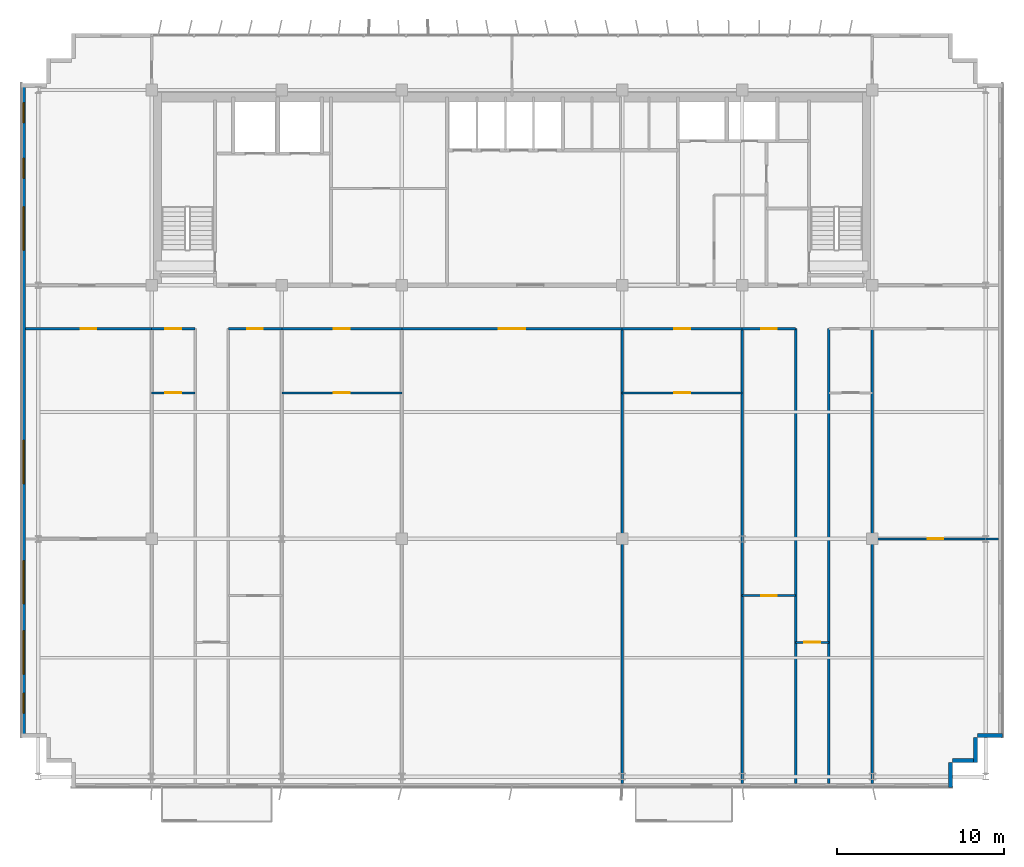
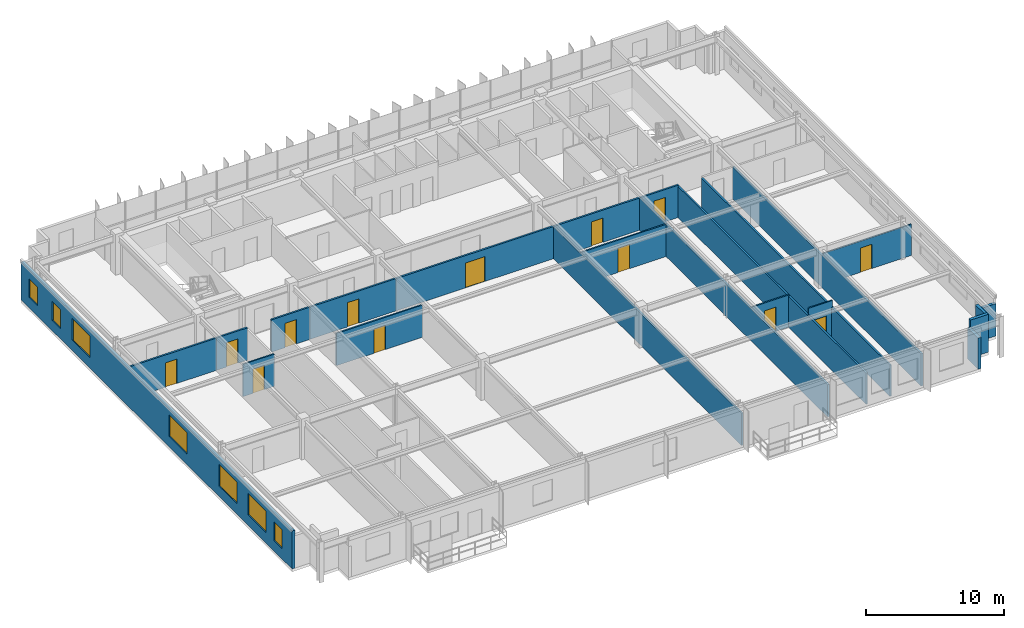
# One storey, part 15 of 20: 23 walls, 13 doors, 7 windows, 20 openings.
"""IFC4 building model written with IfcOpenShell, lengths in metres."""

from ifc_helpers import new_model, si_unit, direction, frame, frame_2d, origin, place, context, subcontext, project, spatial, rectangle, extrude, source, transform, mapped, material, layer, layer_set, type_object, element, fill, save


model = new_model("IFC4")

# Units and contexts
model_context = context("Model", 3, precision=1e-05, world=origin(), true_north=direction((0.0, 1.0)))
body_context = subcontext(model_context, "Body", "Model", "MODEL_VIEW")
ifc_project = project(units=[si_unit("LENGTHUNIT", "METRE"), si_unit("AREAUNIT", "SQUARE_METRE"), si_unit("VOLUMEUNIT", "CUBIC_METRE"), si_unit("PLANEANGLEUNIT", "RADIAN"), si_unit("MASSUNIT", "GRAM", prefix="KILO")], contexts=[model_context])

# Site, building, storey
site_placement = place(None, origin())
site = spatial("IfcSite", under=ifc_project, at=site_placement, CompositionType="ELEMENT")
building_placement = place(site_placement, origin())
building = spatial("IfcBuilding", under=site, at=building_placement, Name="Trelvane Seafront Commons", CompositionType="ELEMENT")
storey_placement = place(building_placement, frame((0.0, 0.0, 146.5)))
storey = spatial("IfcBuildingStorey", under=building, at=storey_placement, Name="L38", CompositionType="ELEMENT", Elevation=146.5)

# Wall, openings, windows
ifc_material_1 = material(Name="Precast concrete C40/50", Category="concrete")
ifc_layer_1 = layer(ifc_material_1, 0.239990234375, Name="ARCH-WALL-EXT240")
ifc_layer_set_1 = layer_set([ifc_layer_1], Name="Precast concrete C40/50")
wall_type_1 = type_object("IfcWallType", Name="ARCH-WALL-EXT240", PredefinedType="SOLIDWALL", material=ifc_layer_set_1)
wall_1_placement = place(storey_placement, frame((7.919921875, 6.300048828125, 0.0), z_axis=(0.0, 0.0, 1.0), x_axis=(0.0, 1.0, 0.0)))
wall_1 = element("IfcWall", 1, at=wall_1_placement, inside=storey, type_object=wall_type_1, Name="EW-L38-00742", PredefinedType="SOLIDWALL", context=body_context, shape_type="SweptSolid", body=[
    extrude(rectangle(XDim=39.199951171875, YDim=0.239990234375, at=frame_2d((19.60009765625, 0.0))), origin(), (0.0, 0.0, 1.0), 3.35009765625),
])
opening_1_placement = place(wall_1_placement, frame((1.449951171875, 0.0, 0.919921875)))
opening_1 = element("IfcOpeningElement", 2, at=opening_1_placement, cuts=wall_1, Name="Opening W05", PredefinedType="OPENING", context=body_context, shape_type="SweptSolid", body=[
    extrude(rectangle(XDim=1.199951171875, YDim=1.64990234375, at=frame_2d((0.60009765625, 0.824951171875))), frame((0.0, 0.1298828125, 0.0), z_axis=(0.0, -1.0, 0.0), x_axis=(1.0, 0.0, 0.0)), (0.0, 0.0, 1.0), 0.260009765625),
])
opening_2_placement = place(wall_1_placement, frame((3.800048828125, 0.0, 0.919921875)))
opening_2 = element("IfcOpeningElement", 3, at=opening_2_placement, cuts=wall_1, Name="Opening W04", PredefinedType="OPENING", context=body_context, shape_type="SweptSolid", body=[
    extrude(rectangle(XDim=2.60009765625, YDim=1.89990234375, at=frame_2d((1.300048828125, 0.949951171875))), frame((0.0, 0.1298828125, 0.0), z_axis=(0.0, -1.0, 0.0), x_axis=(1.0, 0.0, 0.0)), (0.0, 0.0, 1.0), 0.260009765625),
])
opening_3_placement = place(wall_1_placement, frame((8.0, 0.0, 0.919921875)))
opening_3 = element("IfcOpeningElement", 4, at=opening_3_placement, cuts=wall_1, Name="Opening W04", PredefinedType="OPENING", context=body_context, shape_type="SweptSolid", body=[
    extrude(rectangle(XDim=2.60009765625, YDim=1.89990234375, at=frame_2d((1.300048828125, 0.949951171875))), frame((0.0, 0.1298828125, 0.0), z_axis=(0.0, -1.0, 0.0), x_axis=(1.0, 0.0, 0.0)), (0.0, 0.0, 1.0), 0.260009765625),
])
opening_4_placement = place(wall_1_placement, frame((15.199951171875, 0.0, 0.919921875)))
opening_4 = element("IfcOpeningElement", 5, at=opening_4_placement, cuts=wall_1, Name="Opening W04", PredefinedType="OPENING", context=body_context, shape_type="SweptSolid", body=[
    extrude(rectangle(XDim=2.60009765625, YDim=1.89990234375, at=frame_2d((1.300048828125, 0.949951171875))), frame((0.0, 0.1298828125, 0.0), z_axis=(0.0, -1.0, 0.0), x_axis=(1.0, 0.0, 0.0)), (0.0, 0.0, 1.0), 0.260009765625),
])
opening_5_placement = place(wall_1_placement, frame((29.199951171875, 0.0, 0.919921875)))
opening_5 = element("IfcOpeningElement", 6, at=opening_5_placement, cuts=wall_1, Name="Opening W04", PredefinedType="OPENING", context=body_context, shape_type="SweptSolid", body=[
    extrude(rectangle(XDim=2.60009765625, YDim=1.89990234375, at=frame_2d((1.300048828125, 0.949951171875))), frame((0.0, 0.1298828125, 0.0), z_axis=(0.0, -1.0, 0.0), x_axis=(1.0, 0.0, 0.0)), (0.0, 0.0, 1.0), 0.260009765625),
])
opening_6_placement = place(wall_1_placement, frame((33.5, 0.0, 0.919921875)))
opening_6 = element("IfcOpeningElement", 7, at=opening_6_placement, cuts=wall_1, Name="Opening W05", PredefinedType="OPENING", context=body_context, shape_type="SweptSolid", body=[
    extrude(rectangle(XDim=1.199951171875, YDim=1.64990234375, at=frame_2d((0.60009765625, 0.824951171875))), frame((0.0, 0.1298828125, 0.0), z_axis=(0.0, -1.0, 0.0), x_axis=(1.0, 0.0, 0.0)), (0.0, 0.0, 1.0), 0.260009765625),
])
opening_7_placement = place(wall_1_placement, frame((36.85009765625, 0.0, 0.919921875)))
opening_7 = element("IfcOpeningElement", 8, at=opening_7_placement, cuts=wall_1, Name="Opening W05", PredefinedType="OPENING", context=body_context, shape_type="SweptSolid", body=[
    extrude(rectangle(XDim=1.199951171875, YDim=1.64990234375, at=frame_2d((0.60009765625, 0.824951171875))), frame((0.0, 0.1298828125, 0.0), z_axis=(0.0, -1.0, 0.0), x_axis=(1.0, 0.0, 0.0)), (0.0, 0.0, 1.0), 0.260009765625),
])
ifc_material_2 = material(Name="Low-E coastal double glazing", Category="glass")
window_type_1 = type_object("IfcWindowType", Name="ARCH-WIN-W04", PartitioningType="SINGLE_PANEL", PredefinedType="WINDOW", material=ifc_material_2)
shared_shape_1 = source(origin(), body_context, "Body", "SweptSolid", [
    extrude(rectangle(XDim=2.60009765625, YDim=1.89990234375, at=frame_2d((1.300048828125, 0.949951171875))), frame((0.0, 0.030029296875, 0.0), z_axis=(0.0, -1.0, 0.0), x_axis=(1.0, 0.0, 0.0)), (0.0, 0.0, 1.0), 0.06005859375),
])
window_1_placement = place(opening_2_placement, origin())
window_1 = element("IfcWindow", 9, at=window_1_placement, inside=storey, type_object=window_type_1, Name="WIN-L38-EW-00878", OverallHeight=1.89990234375, OverallWidth=2.60009765625, PartitioningType="SINGLE_PANEL", PredefinedType="WINDOW", context=body_context, shape_type="MappedRepresentation", body=[
    mapped(shared_shape_1, transform((0.0, 0.0, 0.0), x_axis=(1.0, 0.0, 0.0), y_axis=(0.0, 1.0, 0.0), z_axis=(0.0, 0.0, 1.0), scale=1.0)),
])
fill(opening_2, window_1)
window_2_placement = place(opening_3_placement, origin())
window_2 = element("IfcWindow", 10, at=window_2_placement, inside=storey, type_object=window_type_1, Name="WIN-L38-EW-00879", OverallHeight=1.89990234375, OverallWidth=2.60009765625, PartitioningType="SINGLE_PANEL", PredefinedType="WINDOW", context=body_context, shape_type="MappedRepresentation", body=[
    mapped(shared_shape_1, transform((0.0, 0.0, 0.0), x_axis=(1.0, 0.0, 0.0), y_axis=(0.0, 1.0, 0.0), z_axis=(0.0, 0.0, 1.0), scale=1.0)),
])
fill(opening_3, window_2)
window_3_placement = place(opening_4_placement, origin())
window_3 = element("IfcWindow", 11, at=window_3_placement, inside=storey, type_object=window_type_1, Name="WIN-L38-EW-00880", OverallHeight=1.89990234375, OverallWidth=2.60009765625, PartitioningType="SINGLE_PANEL", PredefinedType="WINDOW", context=body_context, shape_type="MappedRepresentation", body=[
    mapped(shared_shape_1, transform((0.0, 0.0, 0.0), x_axis=(1.0, 0.0, 0.0), y_axis=(0.0, 1.0, 0.0), z_axis=(0.0, 0.0, 1.0), scale=1.0)),
])
fill(opening_4, window_3)
window_4_placement = place(opening_5_placement, origin())
window_4 = element("IfcWindow", 12, at=window_4_placement, inside=storey, type_object=window_type_1, Name="WIN-L38-EW-00881", OverallHeight=1.89990234375, OverallWidth=2.60009765625, PartitioningType="SINGLE_PANEL", PredefinedType="WINDOW", context=body_context, shape_type="MappedRepresentation", body=[
    mapped(shared_shape_1, transform((0.0, 0.0, 0.0), x_axis=(1.0, 0.0, 0.0), y_axis=(0.0, 1.0, 0.0), z_axis=(0.0, 0.0, 1.0), scale=1.0)),
])
fill(opening_5, window_4)
window_type_2 = type_object("IfcWindowType", Name="ARCH-WIN-W05", PartitioningType="SINGLE_PANEL", PredefinedType="WINDOW", material=ifc_material_2)
shared_shape_2 = source(origin(), body_context, "Body", "SweptSolid", [
    extrude(rectangle(XDim=1.199951171875, YDim=1.64990234375, at=frame_2d((0.60009765625, 0.824951171875))), frame((0.0, 0.030029296875, 0.0), z_axis=(0.0, -1.0, 0.0), x_axis=(1.0, 0.0, 0.0)), (0.0, 0.0, 1.0), 0.06005859375),
])
window_5_placement = place(opening_1_placement, origin())
window_5 = element("IfcWindow", 13, at=window_5_placement, inside=storey, type_object=window_type_2, Name="WIN-L38-EW-00877", OverallHeight=1.64990234375, OverallWidth=1.199951171875, PartitioningType="SINGLE_PANEL", PredefinedType="WINDOW", context=body_context, shape_type="MappedRepresentation", body=[
    mapped(shared_shape_2, transform((0.0, 0.0, 0.0), x_axis=(1.0, 0.0, 0.0), y_axis=(0.0, 1.0, 0.0), z_axis=(0.0, 0.0, 1.0), scale=1.0)),
])
fill(opening_1, window_5)
window_6_placement = place(opening_6_placement, origin())
window_6 = element("IfcWindow", 14, at=window_6_placement, inside=storey, type_object=window_type_2, Name="WIN-L38-EW-00882", OverallHeight=1.64990234375, OverallWidth=1.199951171875, PartitioningType="SINGLE_PANEL", PredefinedType="WINDOW", context=body_context, shape_type="MappedRepresentation", body=[
    mapped(shared_shape_2, transform((0.0, 0.0, 0.0), x_axis=(1.0, 0.0, 0.0), y_axis=(0.0, 1.0, 0.0), z_axis=(0.0, 0.0, 1.0), scale=1.0)),
])
fill(opening_6, window_6)
window_7_placement = place(opening_7_placement, origin())
window_7 = element("IfcWindow", 15, at=window_7_placement, inside=storey, type_object=window_type_2, Name="WIN-L38-EW-00883", OverallHeight=1.64990234375, OverallWidth=1.199951171875, PartitioningType="SINGLE_PANEL", PredefinedType="WINDOW", context=body_context, shape_type="MappedRepresentation", body=[
    mapped(shared_shape_2, transform((0.0, 0.0, 0.0), x_axis=(1.0, 0.0, 0.0), y_axis=(0.0, 1.0, 0.0), z_axis=(0.0, 0.0, 1.0), scale=1.0)),
])
fill(opening_7, window_7)

# Walls
wall_2_placement = place(storey_placement, frame((66.60009765625, 6.419921875, 0.0), z_axis=(0.0, 0.0, 1.0), x_axis=(-1.0, 0.0, 0.0)))
element("IfcWall", 16, at=wall_2_placement, inside=storey, type_object=wall_type_1, Name="EW-L38-00752", PredefinedType="SOLIDWALL", context=body_context, shape_type="SweptSolid", body=[
    extrude(rectangle(XDim=1.5, YDim=0.239990234375, at=frame_2d((0.75, 0.0))), origin(), (0.0, 0.0, 1.0), 2.85009765625),
])
for number, where, z_axis, x_axis, name in (
    (17, (64.97998046875, 6.300048828125, 0.0), (0.0, 0.0, 1.0), (0.0, -1.0, 0.0), "EW-L38-00753"),
    (18, (65.10009765625, 4.919921875, 0.0), (0.0, 0.0, 1.0), (-1.0, 0.0, 0.0), "EW-L38-00754"),
):
    element("IfcWall", number, at=place(storey_placement, frame(where, z_axis=z_axis, x_axis=x_axis)), inside=storey, type_object=wall_type_1, Name=name, PredefinedType="SOLIDWALL", context=body_context, shape_type="SweptSolid", body=[
        extrude(rectangle(XDim=1.5, YDim=0.239990234375, at=frame_2d((0.75, 0.0))), origin(), (0.0, 0.0, 1.0), 3.35009765625),
    ])
wall_3_placement = place(storey_placement, frame((63.47998046875, 4.800048828125, 0.0), z_axis=(0.0, 0.0, 1.0), x_axis=(0.0, -1.0, 0.0)))
element("IfcWall", 19, at=wall_3_placement, inside=storey, type_object=wall_type_1, Name="EW-L38-00755", PredefinedType="SOLIDWALL", context=body_context, shape_type="SweptSolid", body=[
    extrude(rectangle(XDim=1.5, YDim=0.239990234375, at=frame_2d((0.75, 0.0))), origin(), (0.0, 0.0, 1.0), 2.75),
])

# Wall, opening, door
ifc_material_3 = material(Name="Gypsum Drywall Acoustic Partition")
ifc_layer_2 = layer(ifc_material_3, 0.1201171875, Name="ARCH-WALL-PART120")
ifc_layer_set_2 = layer_set([ifc_layer_2], Name="Gypsum Drywall Acoustic Partition")
wall_type_2 = type_object("IfcWallType", Name="ARCH-WALL-PART120", PredefinedType="PARTITIONING", material=ifc_layer_set_2)
wall_4_placement = place(storey_placement, frame((15.60009765625, 26.949951171875, 0.0), z_axis=(0.0, 0.0, 1.0), x_axis=(1.0, 0.0, 0.0)))
wall_4 = element("IfcWall", 20, at=wall_4_placement, inside=storey, type_object=wall_type_2, Name="W-L38-U2-DIV-050", PredefinedType="PARTITIONING", context=body_context, shape_type="SweptSolid", body=[
    extrude(rectangle(XDim=2.599853515625, YDim=0.1201171875, at=frame_2d((1.2998046875, 0.0))), origin(), (0.0, 0.0, 1.0), 2.85009765625),
])
opening_8_placement = place(wall_4_placement, frame((0.824951171875, 0.0, 0.0)))
opening_8 = element("IfcOpeningElement", 21, at=opening_8_placement, cuts=wall_4, Name="Opening D-L38-27", PredefinedType="OPENING", context=body_context, shape_type="SweptSolid", body=[
    extrude(rectangle(XDim=0.949951171875, YDim=2.14990234375, at=frame_2d((0.47509765625, 1.074951171875))), frame((0.0, 0.070068359375, 0.0), z_axis=(0.0, -1.0, 0.0), x_axis=(1.0, 0.0, 0.0)), (0.0, 0.0, 1.0), 0.14013671875),
])
ifc_material_4 = material(Name="Acoustic timber door leaf", Category="wood")
door_type_1 = type_object("IfcDoorType", Name="ARCH-DR-INT950", OperationType="NOTDEFINED", PredefinedType="DOOR", material=ifc_material_4)
shared_shape_3 = source(origin(), body_context, "Body", "SweptSolid", [
    extrude(rectangle(XDim=0.949951171875, YDim=2.14990234375, at=frame_2d((0.47509765625, 1.074951171875))), frame((0.0, 0.02490234375, 0.0), z_axis=(0.0, -1.0, 0.0), x_axis=(1.0, 0.0, 0.0)), (0.0, 0.0, 1.0), 0.050048828125),
])
door_1_placement = place(opening_8_placement, origin())
door_1 = element("IfcDoor", 22, at=door_1_placement, inside=storey, type_object=door_type_1, Name="L38 Door 27", OperationType="SINGLE_SWING_LEFT", OverallHeight=2.14990234375, OverallWidth=0.949951171875, PredefinedType="DOOR", context=body_context, shape_type="MappedRepresentation", body=[
    mapped(shared_shape_3, transform((0.0, 0.0, 0.0), x_axis=(1.0, 0.0, 0.0), y_axis=(0.0, 1.0, 0.0), z_axis=(0.0, 0.0, 1.0), scale=1.0)),
])
fill(opening_8, door_1)

wall_5_placement = place(storey_placement, frame((23.39990234375, 26.949951171875, 0.0), z_axis=(0.0, 0.0, 1.0), x_axis=(1.0, 0.0, 0.0)))
wall_5 = element("IfcWall", 23, at=wall_5_placement, inside=storey, type_object=wall_type_2, Name="W-L38-U5-DIV-057", PredefinedType="PARTITIONING", context=body_context, shape_type="SweptSolid", body=[
    extrude(rectangle(XDim=7.2001953125, YDim=0.1201171875, at=frame_2d((3.60009765625, 0.0))), origin(), (0.0, 0.0, 1.0), 2.85009765625),
])
opening_9_placement = place(wall_5_placement, frame((3.125, 0.0, 0.0)))
opening_9 = element("IfcOpeningElement", 24, at=opening_9_placement, cuts=wall_5, Name="Opening D-L38-32", PredefinedType="OPENING", context=body_context, shape_type="SweptSolid", body=[
    extrude(rectangle(XDim=0.949951171875, YDim=2.14990234375, at=frame_2d((0.47509765625, 1.074951171875))), frame((0.0, 0.070068359375, 0.0), z_axis=(0.0, -1.0, 0.0), x_axis=(1.0, 0.0, 0.0)), (0.0, 0.0, 1.0), 0.14013671875),
])
door_2_placement = place(opening_9_placement, origin())
door_2 = element("IfcDoor", 25, at=door_2_placement, inside=storey, type_object=door_type_1, Name="L38 Door 32", OperationType="SINGLE_SWING_RIGHT", OverallHeight=2.14990234375, OverallWidth=0.949951171875, PredefinedType="DOOR", context=body_context, shape_type="MappedRepresentation", body=[
    mapped(shared_shape_3, transform((0.0, 0.0, 0.0), x_axis=(1.0, 0.0, 0.0), y_axis=(0.0, 1.0, 0.0), z_axis=(0.0, 0.0, 1.0), scale=1.0)),
])
fill(opening_9, door_2)

wall_6_placement = place(storey_placement, frame((43.800048828125, 26.949951171875, 0.0), z_axis=(0.0, 0.0, 1.0), x_axis=(1.0, 0.0, 0.0)))
wall_6 = element("IfcWall", 26, at=wall_6_placement, inside=storey, type_object=wall_type_2, Name="W-L38-U7-DIV-060", PredefinedType="PARTITIONING", context=body_context, shape_type="SweptSolid", body=[
    extrude(rectangle(XDim=7.199951171875, YDim=0.1201171875, at=frame_2d((3.60009765625, 0.0))), origin(), (0.0, 0.0, 1.0), 2.85009765625),
])
opening_10_placement = place(wall_6_placement, frame((3.125, 0.0, 0.0)))
opening_10 = element("IfcOpeningElement", 27, at=opening_10_placement, cuts=wall_6, Name="Opening D-L38-35", PredefinedType="OPENING", context=body_context, shape_type="SweptSolid", body=[
    extrude(rectangle(XDim=0.949951171875, YDim=2.14990234375, at=frame_2d((0.47509765625, 1.074951171875))), frame((0.0, 0.070068359375, 0.0), z_axis=(0.0, -1.0, 0.0), x_axis=(1.0, 0.0, 0.0)), (0.0, 0.0, 1.0), 0.14013671875),
])
door_3_placement = place(opening_10_placement, origin())
door_3 = element("IfcDoor", 28, at=door_3_placement, inside=storey, type_object=door_type_1, Name="L38 Door 35", OperationType="SINGLE_SWING_LEFT", OverallHeight=2.14990234375, OverallWidth=0.949951171875, PredefinedType="DOOR", context=body_context, shape_type="MappedRepresentation", body=[
    mapped(shared_shape_3, transform((0.0, 0.0, 0.0), x_axis=(1.0, 0.0, 0.0), y_axis=(0.0, 1.0, 0.0), z_axis=(0.0, 0.0, 1.0), scale=1.0)),
])
fill(opening_10, door_3)

wall_7_placement = place(storey_placement, frame((51.0, 14.800048828125, 0.0), z_axis=(0.0, 0.0, 1.0), x_axis=(1.0, 0.0, 0.0)))
wall_7 = element("IfcWall", 29, at=wall_7_placement, inside=storey, type_object=wall_type_2, Name="W-L38-U8-DIV-062", PredefinedType="PARTITIONING", context=body_context, shape_type="SweptSolid", body=[
    extrude(rectangle(XDim=3.199951171875, YDim=0.1201171875, at=frame_2d((1.60009765625, 0.0))), origin(), (0.0, 0.0, 1.0), 2.85009765625),
])
opening_11_placement = place(wall_7_placement, frame((1.125, 0.0, 0.0)))
opening_11 = element("IfcOpeningElement", 30, at=opening_11_placement, cuts=wall_7, Name="Opening D-L38-37", PredefinedType="OPENING", context=body_context, shape_type="SweptSolid", body=[
    extrude(rectangle(XDim=0.949951171875, YDim=2.14990234375, at=frame_2d((0.47509765625, 1.074951171875))), frame((0.0, 0.070068359375, 0.0), z_axis=(0.0, -1.0, 0.0), x_axis=(1.0, 0.0, 0.0)), (0.0, 0.0, 1.0), 0.14013671875),
])
door_4_placement = place(opening_11_placement, origin())
door_4 = element("IfcDoor", 31, at=door_4_placement, inside=storey, type_object=door_type_1, Name="L38 Door 37", OperationType="SINGLE_SWING_LEFT", OverallHeight=2.14990234375, OverallWidth=0.949951171875, PredefinedType="DOOR", context=body_context, shape_type="MappedRepresentation", body=[
    mapped(shared_shape_3, transform((0.0, 0.0, 0.0), x_axis=(1.0, 0.0, 0.0), y_axis=(0.0, 1.0, 0.0), z_axis=(0.0, 0.0, 1.0), scale=1.0)),
])
fill(opening_11, door_4)

wall_8_placement = place(storey_placement, frame((54.199951171875, 12.0, 0.0), z_axis=(0.0, 0.0, 1.0), x_axis=(1.0, 0.0, 0.0)))
wall_8 = element("IfcWall", 32, at=wall_8_placement, inside=storey, type_object=wall_type_2, Name="W-L38-ARM-END-9-065", PredefinedType="PARTITIONING", context=body_context, shape_type="SweptSolid", body=[
    extrude(rectangle(XDim=2.0, YDim=0.1201171875, at=frame_2d((1.0, 0.0))), origin(), (0.0, 0.0, 1.0), 3.35009765625),
])
opening_12_placement = place(wall_8_placement, frame((0.52001953125, 0.0, 0.0)))
opening_12 = element("IfcOpeningElement", 33, at=opening_12_placement, cuts=wall_8, Name="Opening D-L38-38", PredefinedType="OPENING", context=body_context, shape_type="SweptSolid", body=[
    extrude(rectangle(XDim=0.949951171875, YDim=2.14990234375, at=frame_2d((0.47509765625, 1.074951171875))), frame((0.0, 0.070068359375, 0.0), z_axis=(0.0, -1.0, 0.0), x_axis=(1.0, 0.0, 0.0)), (0.0, 0.0, 1.0), 0.14013671875),
])
door_5_placement = place(opening_12_placement, origin())
door_5 = element("IfcDoor", 34, at=door_5_placement, inside=storey, type_object=door_type_1, Name="L38 Door 38", OperationType="SINGLE_SWING_RIGHT", OverallHeight=2.14990234375, OverallWidth=0.949951171875, PredefinedType="DOOR", context=body_context, shape_type="MappedRepresentation", body=[
    mapped(shared_shape_3, transform((0.0, 0.0, 0.0), x_axis=(1.0, 0.0, 0.0), y_axis=(0.0, 1.0, 0.0), z_axis=(0.0, 0.0, 1.0), scale=1.0)),
])
fill(opening_12, door_5)

wall_9_placement = place(storey_placement, frame((58.800048828125, 18.199951171875, 0.0), z_axis=(0.0, 0.0, 1.0), x_axis=(1.0, 0.0, 0.0)))
wall_9 = element("IfcWall", 35, at=wall_9_placement, inside=storey, type_object=wall_type_2, Name="W-L38-U11-DIV-069", PredefinedType="PARTITIONING", context=body_context, shape_type="SweptSolid", body=[
    extrude(rectangle(XDim=7.574951171875, YDim=0.1201171875, at=frame_2d((3.78759765625, 0.0))), origin(), (0.0, 0.0, 1.0), 2.75),
])
opening_13_placement = place(wall_9_placement, frame((3.31298828125, 0.0, 0.0)))
opening_13 = element("IfcOpeningElement", 36, at=opening_13_placement, cuts=wall_9, Name="Opening D-L38-42", PredefinedType="OPENING", context=body_context, shape_type="SweptSolid", body=[
    extrude(rectangle(XDim=0.949951171875, YDim=2.14990234375, at=frame_2d((0.47509765625, 1.074951171875))), frame((0.0, 0.070068359375, 0.0), z_axis=(0.0, -1.0, 0.0), x_axis=(1.0, 0.0, 0.0)), (0.0, 0.0, 1.0), 0.14013671875),
])
door_6_placement = place(opening_13_placement, origin())
door_6 = element("IfcDoor", 37, at=door_6_placement, inside=storey, type_object=door_type_1, Name="L38 Door 42", OperationType="SINGLE_SWING_RIGHT", OverallHeight=2.14990234375, OverallWidth=0.949951171875, PredefinedType="DOOR", context=body_context, shape_type="MappedRepresentation", body=[
    mapped(shared_shape_3, transform((0.0, 0.0, 0.0), x_axis=(1.0, 0.0, 0.0), y_axis=(0.0, 1.0, 0.0), z_axis=(0.0, 0.0, 1.0), scale=1.0)),
])
fill(opening_13, door_6)

# Walls
ifc_layer_3 = layer(ifc_material_3, 0.14990234375, Name="ARCH-WALL-PART150")
ifc_layer_set_3 = layer_set([ifc_layer_3], Name="Gypsum Drywall Acoustic Partition")
wall_type_3 = type_object("IfcWallType", Name="ARCH-WALL-PART150", PredefinedType="PARTITIONING", material=ifc_layer_set_3)
for number, where, z_axis, x_axis, name in (
    (38, (43.800048828125, 3.52490234375, 0.0), (0.0, 0.0, 1.0), (0.0, 1.0, 0.0), "W-L38-PW-6-044"),
    (39, (51.0, 3.52490234375, 0.0), (0.0, 0.0, 1.0), (0.0, 1.0, 0.0), "W-L38-PW-7-045"),
    (40, (58.800048828125, 3.52490234375, 0.0), (0.0, 0.0, 1.0), (0.0, 1.0, 0.0), "W-L38-PW-10-046"),
):
    element("IfcWall", number, at=place(storey_placement, frame(where, z_axis=z_axis, x_axis=x_axis)), inside=storey, type_object=wall_type_3, Name=name, PredefinedType="PARTITIONING", context=body_context, shape_type="SweptSolid", body=[
        extrude(rectangle(XDim=27.275146484375, YDim=0.14990234375, at=frame_2d((13.6376953125, 0.0))), origin(), (0.0, 0.0, 1.0), 2.85009765625),
    ])

# Wall, opening, door
wall_10_placement = place(storey_placement, frame((8.02490234375, 30.800048828125, 0.0), z_axis=(0.0, 0.0, 1.0), x_axis=(1.0, 0.0, 0.0)))
wall_10 = element("IfcWall", 41, at=wall_10_placement, inside=storey, type_object=wall_type_3, Name="W-L38-CS-BAY-1-047", PredefinedType="PARTITIONING", context=body_context, shape_type="SweptSolid", body=[
    extrude(rectangle(XDim=7.5751953125, YDim=0.14990234375, at=frame_2d((3.78759765625, 0.0))), origin(), (0.0, 0.0, 1.0), 2.85009765625),
])
opening_14_placement = place(wall_10_placement, frame((3.31201171875, 0.0, 0.0)))
opening_14 = element("IfcOpeningElement", 42, at=opening_14_placement, cuts=wall_10, Name="Opening FD-L38-24", PredefinedType="OPENING", context=body_context, shape_type="SweptSolid", body=[
    extrude(rectangle(XDim=0.949951171875, YDim=2.14990234375, at=frame_2d((0.47509765625, 1.074951171875))), frame((0.0, 0.0849609375, 0.0), z_axis=(0.0, -1.0, 0.0), x_axis=(1.0, 0.0, 0.0)), (0.0, 0.0, 1.0), 0.169921875),
])
ifc_material_5 = material(Name="Powder-coated aluminium frame", Category="aluminium")
door_type_2 = type_object("IfcDoorType", Name="ARCH-DR-FD60-950", OperationType="NOTDEFINED", PredefinedType="DOOR", material=ifc_material_5)
door_7_placement = place(opening_14_placement, origin())
door_7 = element("IfcDoor", 43, at=door_7_placement, inside=storey, type_object=door_type_2, Name="L38 Bay 01 Entrance Door", OperationType="SINGLE_SWING_RIGHT", OverallHeight=2.14990234375, OverallWidth=0.949951171875, PredefinedType="DOOR", context=body_context, shape_type="MappedRepresentation", body=[
    mapped(shared_shape_3, transform((0.0, 0.0, 0.0), x_axis=(1.0, 0.0, 0.0), y_axis=(0.0, 1.0, 0.0), z_axis=(0.0, 0.0, 1.0), scale=1.0)),
])
fill(opening_14, door_7)

wall_11_placement = place(storey_placement, frame((15.60009765625, 30.800048828125, 0.0), z_axis=(0.0, 0.0, 1.0), x_axis=(1.0, 0.0, 0.0)))
wall_11 = element("IfcWall", 44, at=wall_11_placement, inside=storey, type_object=wall_type_3, Name="W-L38-CS-BAY-2-049", PredefinedType="PARTITIONING", context=body_context, shape_type="SweptSolid", body=[
    extrude(rectangle(XDim=2.599853515625, YDim=0.14990234375, at=frame_2d((1.2998046875, 0.0))), origin(), (0.0, 0.0, 1.0), 2.85009765625),
])
opening_15_placement = place(wall_11_placement, frame((0.824951171875, 0.0, 0.0)))
opening_15 = element("IfcOpeningElement", 45, at=opening_15_placement, cuts=wall_11, Name="Opening FD-L38-26", PredefinedType="OPENING", context=body_context, shape_type="SweptSolid", body=[
    extrude(rectangle(XDim=0.949951171875, YDim=2.14990234375, at=frame_2d((0.47509765625, 1.074951171875))), frame((0.0, 0.0849609375, 0.0), z_axis=(0.0, -1.0, 0.0), x_axis=(1.0, 0.0, 0.0)), (0.0, 0.0, 1.0), 0.169921875),
])
door_8_placement = place(opening_15_placement, origin())
door_8 = element("IfcDoor", 46, at=door_8_placement, inside=storey, type_object=door_type_2, Name="L38 Bay 02 Entrance Door", OperationType="SINGLE_SWING_RIGHT", OverallHeight=2.14990234375, OverallWidth=0.949951171875, PredefinedType="DOOR", context=body_context, shape_type="MappedRepresentation", body=[
    mapped(shared_shape_3, transform((0.0, 0.0, 0.0), x_axis=(1.0, 0.0, 0.0), y_axis=(0.0, 1.0, 0.0), z_axis=(0.0, 0.0, 1.0), scale=1.0)),
])
fill(opening_15, door_8)

wall_12_placement = place(storey_placement, frame((20.199951171875, 30.800048828125, 0.0), z_axis=(0.0, 0.0, 1.0), x_axis=(1.0, 0.0, 0.0)))
wall_12 = element("IfcWall", 47, at=wall_12_placement, inside=storey, type_object=wall_type_3, Name="W-L38-CS-BAY-4-054", PredefinedType="PARTITIONING", context=body_context, shape_type="SweptSolid", body=[
    extrude(rectangle(XDim=3.199951171875, YDim=0.14990234375, at=frame_2d((1.60009765625, 0.0))), origin(), (0.0, 0.0, 1.0), 2.85009765625),
])
opening_16_placement = place(wall_12_placement, frame((1.125, 0.0, 0.0)))
opening_16 = element("IfcOpeningElement", 48, at=opening_16_placement, cuts=wall_12, Name="Opening FD-L38-29", PredefinedType="OPENING", context=body_context, shape_type="SweptSolid", body=[
    extrude(rectangle(XDim=0.949951171875, YDim=2.14990234375, at=frame_2d((0.47509765625, 1.074951171875))), frame((0.0, 0.0849609375, 0.0), z_axis=(0.0, -1.0, 0.0), x_axis=(1.0, 0.0, 0.0)), (0.0, 0.0, 1.0), 0.169921875),
])
door_9_placement = place(opening_16_placement, origin())
door_9 = element("IfcDoor", 49, at=door_9_placement, inside=storey, type_object=door_type_2, Name="L38 Bay 04 Entrance Door", OperationType="SINGLE_SWING_LEFT", OverallHeight=2.14990234375, OverallWidth=0.949951171875, PredefinedType="DOOR", context=body_context, shape_type="MappedRepresentation", body=[
    mapped(shared_shape_3, transform((0.0, 0.0, 0.0), x_axis=(1.0, 0.0, 0.0), y_axis=(0.0, 1.0, 0.0), z_axis=(0.0, 0.0, 1.0), scale=1.0)),
])
fill(opening_16, door_9)

wall_13_placement = place(storey_placement, frame((23.39990234375, 30.800048828125, 0.0), z_axis=(0.0, 0.0, 1.0), x_axis=(1.0, 0.0, 0.0)))
wall_13 = element("IfcWall", 50, at=wall_13_placement, inside=storey, type_object=wall_type_3, Name="W-L38-CS-BAY-5-056", PredefinedType="PARTITIONING", context=body_context, shape_type="SweptSolid", body=[
    extrude(rectangle(XDim=7.2001953125, YDim=0.14990234375, at=frame_2d((3.60009765625, 0.0))), origin(), (0.0, 0.0, 1.0), 2.85009765625),
])
opening_17_placement = place(wall_13_placement, frame((3.125, 0.0, 0.0)))
opening_17 = element("IfcOpeningElement", 51, at=opening_17_placement, cuts=wall_13, Name="Opening FD-L38-31", PredefinedType="OPENING", context=body_context, shape_type="SweptSolid", body=[
    extrude(rectangle(XDim=0.949951171875, YDim=2.14990234375, at=frame_2d((0.47509765625, 1.074951171875))), frame((0.0, 0.0849609375, 0.0), z_axis=(0.0, -1.0, 0.0), x_axis=(1.0, 0.0, 0.0)), (0.0, 0.0, 1.0), 0.169921875),
])
door_10_placement = place(opening_17_placement, origin())
door_10 = element("IfcDoor", 52, at=door_10_placement, inside=storey, type_object=door_type_2, Name="L38 Bay 05 Entrance Door", OperationType="SINGLE_SWING_LEFT", OverallHeight=2.14990234375, OverallWidth=0.949951171875, PredefinedType="DOOR", context=body_context, shape_type="MappedRepresentation", body=[
    mapped(shared_shape_3, transform((0.0, 0.0, 0.0), x_axis=(1.0, 0.0, 0.0), y_axis=(0.0, 1.0, 0.0), z_axis=(0.0, 0.0, 1.0), scale=1.0)),
])
fill(opening_17, door_10)

wall_14_placement = place(storey_placement, frame((30.60009765625, 30.800048828125, 0.0), z_axis=(0.0, 0.0, 1.0), x_axis=(1.0, 0.0, 0.0)))
wall_14 = element("IfcWall", 53, at=wall_14_placement, inside=storey, type_object=wall_type_3, Name="W-L38-CS-BAY-6-058", PredefinedType="PARTITIONING", context=body_context, shape_type="SweptSolid", body=[
    extrude(rectangle(XDim=13.199951171875, YDim=0.14990234375, at=frame_2d((6.60009765625, 0.0))), origin(), (0.0, 0.0, 1.0), 2.85009765625),
])
opening_18_placement = place(wall_14_placement, frame((5.800048828125, 0.0, 0.0)))
opening_18 = element("IfcOpeningElement", 54, at=opening_18_placement, cuts=wall_14, Name="Opening D-L38-33", PredefinedType="OPENING", context=body_context, shape_type="SweptSolid", body=[
    extrude(rectangle(XDim=1.60009765625, YDim=2.199951171875, at=frame_2d((0.800048828125, 1.10009765625))), frame((0.0, 0.0849609375, 0.0), z_axis=(0.0, -1.0, 0.0), x_axis=(1.0, 0.0, 0.0)), (0.0, 0.0, 1.0), 0.169921875),
])
door_type_3 = type_object("IfcDoorType", Name="ARCH-DR-GLZ1600", OperationType="DOUBLE_DOOR_SINGLE_SWING", PredefinedType="DOOR", material=ifc_material_4)
shared_shape_4 = source(origin(), body_context, "Body", "SweptSolid", [
    extrude(rectangle(XDim=1.60009765625, YDim=2.199951171875, at=frame_2d((0.800048828125, 1.10009765625))), frame((0.0, 0.02490234375, 0.0), z_axis=(0.0, -1.0, 0.0), x_axis=(1.0, 0.0, 0.0)), (0.0, 0.0, 1.0), 0.050048828125),
])
door_11_placement = place(opening_18_placement, origin())
door_11 = element("IfcDoor", 55, at=door_11_placement, inside=storey, type_object=door_type_3, Name="L38 Commons Lounge 06 Door", OperationType="DOUBLE_DOOR_SINGLE_SWING", OverallHeight=2.199951171875, OverallWidth=1.60009765625, PredefinedType="DOOR", context=body_context, shape_type="MappedRepresentation", body=[
    mapped(shared_shape_4, transform((0.0, 0.0, 0.0), x_axis=(1.0, 0.0, 0.0), y_axis=(0.0, 1.0, 0.0), z_axis=(0.0, 0.0, 1.0), scale=1.0)),
])
fill(opening_18, door_11)

wall_15_placement = place(storey_placement, frame((43.800048828125, 30.800048828125, 0.0), z_axis=(0.0, 0.0, 1.0), x_axis=(1.0, 0.0, 0.0)))
wall_15 = element("IfcWall", 56, at=wall_15_placement, inside=storey, type_object=wall_type_3, Name="W-L38-CS-BAY-7-059", PredefinedType="PARTITIONING", context=body_context, shape_type="SweptSolid", body=[
    extrude(rectangle(XDim=7.199951171875, YDim=0.14990234375, at=frame_2d((3.60009765625, 0.0))), origin(), (0.0, 0.0, 1.0), 2.85009765625),
])
opening_19_placement = place(wall_15_placement, frame((3.125, 0.0, 0.0)))
opening_19 = element("IfcOpeningElement", 57, at=opening_19_placement, cuts=wall_15, Name="Opening FD-L38-34", PredefinedType="OPENING", context=body_context, shape_type="SweptSolid", body=[
    extrude(rectangle(XDim=0.949951171875, YDim=2.14990234375, at=frame_2d((0.47509765625, 1.074951171875))), frame((0.0, 0.0849609375, 0.0), z_axis=(0.0, -1.0, 0.0), x_axis=(1.0, 0.0, 0.0)), (0.0, 0.0, 1.0), 0.169921875),
])
door_12_placement = place(opening_19_placement, origin())
door_12 = element("IfcDoor", 58, at=door_12_placement, inside=storey, type_object=door_type_2, Name="L38 Bay 07 Entrance Door", OperationType="SINGLE_SWING_RIGHT", OverallHeight=2.14990234375, OverallWidth=0.949951171875, PredefinedType="DOOR", context=body_context, shape_type="MappedRepresentation", body=[
    mapped(shared_shape_3, transform((0.0, 0.0, 0.0), x_axis=(1.0, 0.0, 0.0), y_axis=(0.0, 1.0, 0.0), z_axis=(0.0, 0.0, 1.0), scale=1.0)),
])
fill(opening_19, door_12)

wall_16_placement = place(storey_placement, frame((51.0, 30.800048828125, 0.0), z_axis=(0.0, 0.0, 1.0), x_axis=(1.0, 0.0, 0.0)))
wall_16 = element("IfcWall", 59, at=wall_16_placement, inside=storey, type_object=wall_type_3, Name="W-L38-CS-BAY-8-061", PredefinedType="PARTITIONING", context=body_context, shape_type="SweptSolid", body=[
    extrude(rectangle(XDim=3.199951171875, YDim=0.14990234375, at=frame_2d((1.60009765625, 0.0))), origin(), (0.0, 0.0, 1.0), 2.85009765625),
])
opening_20_placement = place(wall_16_placement, frame((1.125, 0.0, 0.0)))
opening_20 = element("IfcOpeningElement", 60, at=opening_20_placement, cuts=wall_16, Name="Opening FD-L38-36", PredefinedType="OPENING", context=body_context, shape_type="SweptSolid", body=[
    extrude(rectangle(XDim=0.949951171875, YDim=2.14990234375, at=frame_2d((0.47509765625, 1.074951171875))), frame((0.0, 0.0849609375, 0.0), z_axis=(0.0, -1.0, 0.0), x_axis=(1.0, 0.0, 0.0)), (0.0, 0.0, 1.0), 0.169921875),
])
door_13_placement = place(opening_20_placement, origin())
door_13 = element("IfcDoor", 61, at=door_13_placement, inside=storey, type_object=door_type_2, Name="L38 Bay 08 Entrance Door", OperationType="SINGLE_SWING_RIGHT", OverallHeight=2.14990234375, OverallWidth=0.949951171875, PredefinedType="DOOR", context=body_context, shape_type="MappedRepresentation", body=[
    mapped(shared_shape_3, transform((0.0, 0.0, 0.0), x_axis=(1.0, 0.0, 0.0), y_axis=(0.0, 1.0, 0.0), z_axis=(0.0, 0.0, 1.0), scale=1.0)),
])
fill(opening_20, door_13)

# Walls
for number, where, z_axis, x_axis, name in (
    (62, (54.199951171875, 3.52490234375, 0.0), (0.0, 0.0, 1.0), (0.0, 1.0, 0.0), "W-L38-ARM-W-9-063"),
    (63, (56.199951171875, 3.52490234375, 0.0), (0.0, 0.0, 1.0), (0.0, 1.0, 0.0), "W-L38-ARM-E-9-064"),
):
    element("IfcWall", number, at=place(storey_placement, frame(where, z_axis=z_axis, x_axis=x_axis)), inside=storey, type_object=wall_type_3, Name=name, PredefinedType="PARTITIONING", context=body_context, shape_type="SweptSolid", body=[
        extrude(rectangle(XDim=27.275146484375, YDim=0.14990234375, at=frame_2d((13.6376953125, 0.0))), origin(), (0.0, 0.0, 1.0), 2.75),
    ])

save(model, "model.ifc")
